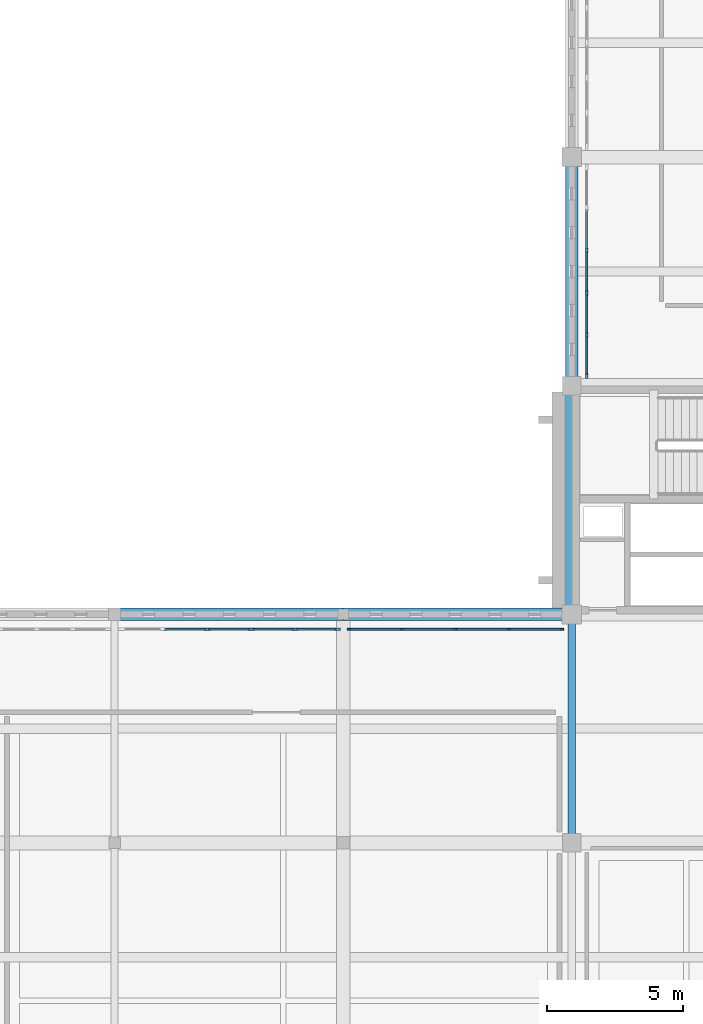
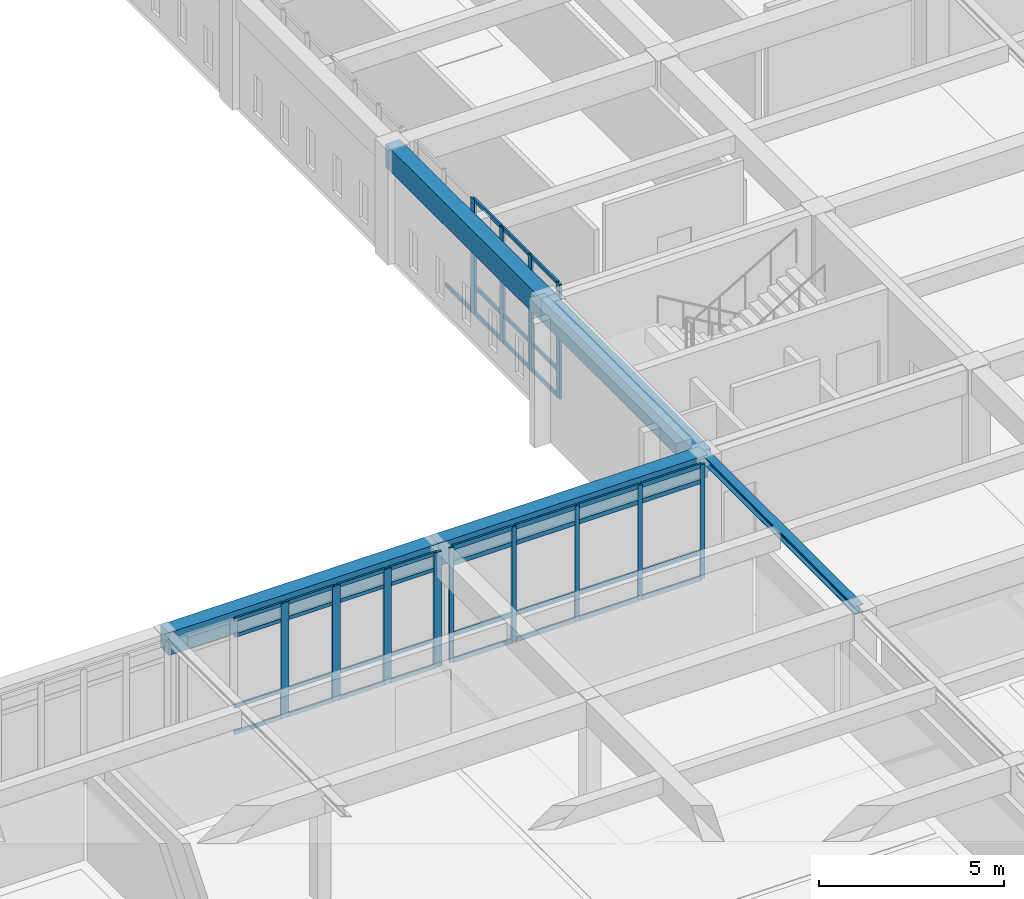
# One storey, part 19 of 110: 58 members, 5 beams, 3 elements without a shape of their own.
"""IFC4 building model written with IfcOpenShell, lengths in metres."""

from ifc_helpers import new_model, si_unit, direction, frame, origin, origin_2d, place, context, subcontext, project, spatial, rectangle, i_section, extrude, material, layer, layer_set, material_profile, profile_set, type_object, element, aggregate, save


model = new_model("IFC4")

# Units and contexts
model_context = context("Model", 3, precision=1e-05, world=origin(), true_north=direction((0.0, 1.0)))
body_context = subcontext(model_context, "Body", "Model", "MODEL_VIEW")
ifc_project = project(units=[si_unit("LENGTHUNIT", "METRE"), si_unit("AREAUNIT", "SQUARE_METRE"), si_unit("VOLUMEUNIT", "CUBIC_METRE"), si_unit("PLANEANGLEUNIT", "RADIAN"), si_unit("MASSUNIT", "GRAM", prefix="KILO")], contexts=[model_context])

# Site, building, storey
site_placement = place(None, origin())
site = spatial("IfcSite", under=ifc_project, at=site_placement, CompositionType="ELEMENT")
building_placement = place(site_placement, origin())
building = spatial("IfcBuilding", under=site, at=building_placement, Name="Kveldsbrygga Polytechnic", CompositionType="ELEMENT")
storey_placement = place(building_placement, frame((0.0, 0.0, 9.860107421875)))
storey = spatial("IfcBuildingStorey", under=building, at=storey_placement, Name="L02", CompositionType="ELEMENT", Elevation=9.860107421875)

# Beams
ifc_material_1 = material(Name="Concrete C35/45", Category="concrete")
ifc_material_profile_1 = material_profile(ifc_material_1, rectangle(XDim=0.449951171875, YDim=0.75, at=origin_2d()), Name="RC 450x750")
ifc_profile_set_1 = profile_set([ifc_material_profile_1], Name="Concrete C35/45")
beam_type_1 = type_object("IfcBeamType", Name="BM-RC-450x750", PredefinedType="BEAM", material=ifc_profile_set_1)
beam_1_placement = place(storey_placement, frame((109.199951171875, 25.199951171875, 3.385009765625), z_axis=(1.0, 0.0, 0.0), x_axis=(0.0, 1.0, 0.0)))
element("IfcBeam", 1, at=beam_1_placement, inside=storey, type_object=beam_type_1, Name="Primary Beam BMX-L02-13to14-03", PredefinedType="BEAM", context=body_context, shape_type="SweptSolid", body=[
    extrude(rectangle(XDim=0.449951171875, YDim=0.75, at=origin_2d()), origin(), (0.0, 0.0, 1.0), 8.400146484375),
])
beam_2_placement = place(storey_placement, frame((117.60009765625, 25.199951171875, 3.385009765625), z_axis=(1.0, 0.0, 0.0), x_axis=(0.0, 1.0, 0.0)))
element("IfcBeam", 2, at=beam_2_placement, inside=storey, type_object=beam_type_1, Name="Primary Beam BMX-L02-14to15-03", PredefinedType="BEAM", context=body_context, shape_type="SweptSolid", body=[
    extrude(rectangle(XDim=0.449951171875, YDim=0.75, at=origin_2d()), origin(), (0.0, 0.0, 1.0), 8.39990234375),
])
beam_3_placement = place(storey_placement, frame((126.0, 25.199951171875, 3.375), z_axis=(0.0, 1.0, 0.0), x_axis=(-1.0, 0.0, 0.0)))
element("IfcBeam", 3, at=beam_3_placement, inside=storey, type_object=beam_type_1, Name="Primary Beam BMY-L02-15-03to04", PredefinedType="BEAM", context=body_context, shape_type="SweptSolid", body=[
    extrude(rectangle(XDim=0.449951171875, YDim=0.75, at=origin_2d()), origin(), (0.0, 0.0, 1.0), 8.400146484375),
])
beam_4_placement = place(storey_placement, frame((126.0, 33.60009765625, 3.375), z_axis=(0.0, 1.0, 0.0), x_axis=(-1.0, 0.0, 0.0)))
element("IfcBeam", 4, at=beam_4_placement, inside=storey, type_object=beam_type_1, Name="Primary Beam BMY-L02-15-04to05", PredefinedType="BEAM", context=body_context, shape_type="SweptSolid", body=[
    extrude(rectangle(XDim=0.449951171875, YDim=0.75, at=origin_2d()), origin(), (0.0, 0.0, 1.0), 8.39990234375),
])
ifc_material_2 = material(Name="Steel S355", Category="steel")
ifc_material_profile_2 = material_profile(ifc_material_2, i_section(OverallWidth=0.260009765625, OverallDepth=0.260009765625, WebThickness=0.010009765625, FlangeThickness=0.017578125, FilletRadius=0.02392578125, at=origin_2d()), Name="HEB 260")
ifc_profile_set_2 = profile_set([ifc_material_profile_2], Name="Steel S355")
beam_type_2 = type_object("IfcBeamType", Name="BM-STL-HEB260", PredefinedType="BEAM", material=ifc_profile_set_2)
beam_5_placement = place(storey_placement, frame((126.0, 16.800048828125, 3.619873046875), z_axis=(0.0, 1.0, 0.0), x_axis=(-1.0, 0.0, 0.0)))
element("IfcBeam", 5, at=beam_5_placement, inside=storey, type_object=beam_type_2, Name="Primary Beam BMY-L02-15-02to03", PredefinedType="BEAM", context=body_context, shape_type="SweptSolid", body=[
    extrude(i_section(OverallWidth=0.260009765625, OverallDepth=0.260009765625, WebThickness=0.010009765625, FlangeThickness=0.017578125, FilletRadius=0.02392578125, at=origin_2d()), origin(), (0.0, 0.0, 1.0), 8.39990234375),
])

# Curtain wall, members
ifc_material_3 = material(Name="Anodised aluminium AW-6060", Category="aluminium")
ifc_layer_1 = layer(ifc_material_3, 0.199951171875)
ifc_layer_set_1 = layer_set([ifc_layer_1], Name="Anodised aluminium AW-6060")
curtain_wall_type_1 = type_object("IfcCurtainWallType", Name="CW-LANC-E", PredefinedType="USERDEFINED", material=ifc_layer_set_1)
curtain_wall_1_placement = place(storey_placement, origin())
curtain_wall_1 = element("IfcCurtainWall", 6, at=curtain_wall_1_placement, inside=storey, type_object=curtain_wall_type_1, Name="Curtain Wall CW-L02-X-14-03", ObjectType="UNITISED CURTAIN WALL", PredefinedType="USERDEFINED")
ifc_material_profile_3 = material_profile(ifc_material_3, rectangle(XDim=0.06005859375, YDim=0.139892578125, at=origin_2d()), Name="ALU 60x140")
ifc_profile_set_3 = profile_set([ifc_material_profile_3], Name="Anodised aluminium AW-6060")
member_type_1 = type_object("IfcMemberType", Name="CW-MUL-140", PredefinedType="MULLION", material=ifc_profile_set_3)
member_1_placement = place(storey_placement, frame((117.81494140625, 24.64990234375, 0.0), z_axis=(0.0, 0.0, 1.0), x_axis=(0.0, 1.0, 0.0)))
member_1 = element("IfcMember", 7, at=member_1_placement, type_object=member_type_1, Name="CW-05 mullion 1", PredefinedType="MULLION", context=body_context, shape_type="SweptSolid", body=[
    extrude(rectangle(XDim=0.06005859375, YDim=0.139892578125, at=origin_2d()), origin(), (0.0, 0.0, 1.0), 3.77978515625),
])
member_2_placement = place(storey_placement, frame((119.7548828125, 24.64990234375, 0.0), z_axis=(0.0, 0.0, 1.0), x_axis=(0.0, 1.0, 0.0)))
member_2 = element("IfcMember", 8, at=member_2_placement, type_object=member_type_1, Name="CW-05 mullion 2", PredefinedType="MULLION", context=body_context, shape_type="SweptSolid", body=[
    extrude(rectangle(XDim=0.06005859375, YDim=0.139892578125, at=origin_2d()), origin(), (0.0, 0.0, 1.0), 3.77978515625),
])
member_3_placement = place(storey_placement, frame((121.72509765625, 24.64990234375, 0.0), z_axis=(0.0, 0.0, 1.0), x_axis=(0.0, 1.0, 0.0)))
member_3 = element("IfcMember", 9, at=member_3_placement, type_object=member_type_1, Name="CW-05 mullion 3", PredefinedType="MULLION", context=body_context, shape_type="SweptSolid", body=[
    extrude(rectangle(XDim=0.06005859375, YDim=0.139892578125, at=origin_2d()), origin(), (0.0, 0.0, 1.0), 3.77978515625),
])
member_4_placement = place(storey_placement, frame((123.695068359375, 24.64990234375, 0.0), z_axis=(0.0, 0.0, 1.0), x_axis=(0.0, 1.0, 0.0)))
member_4 = element("IfcMember", 10, at=member_4_placement, type_object=member_type_1, Name="CW-05 mullion 4", PredefinedType="MULLION", context=body_context, shape_type="SweptSolid", body=[
    extrude(rectangle(XDim=0.06005859375, YDim=0.139892578125, at=origin_2d()), origin(), (0.0, 0.0, 1.0), 3.77978515625),
])
member_5_placement = place(storey_placement, frame((125.635009765625, 24.64990234375, 0.0), z_axis=(0.0, 0.0, 1.0), x_axis=(0.0, 1.0, 0.0)))
member_5 = element("IfcMember", 11, at=member_5_placement, type_object=member_type_1, Name="CW-05 mullion 5", PredefinedType="MULLION", context=body_context, shape_type="SweptSolid", body=[
    extrude(rectangle(XDim=0.06005859375, YDim=0.139892578125, at=origin_2d()), origin(), (0.0, 0.0, 1.0), 3.77978515625),
])

ifc_layer_2 = layer(ifc_material_3, 0.18994140625)
ifc_layer_set_2 = layer_set([ifc_layer_2], Name="Anodised aluminium AW-6060")
curtain_wall_type_2 = type_object("IfcCurtainWallType", Name="CW-REFC-G", PredefinedType="USERDEFINED", material=ifc_layer_set_2)
curtain_wall_2_placement = place(storey_placement, origin())
curtain_wall_2 = element("IfcCurtainWall", 12, at=curtain_wall_2_placement, inside=storey, type_object=curtain_wall_type_2, Name="Curtain Wall CW-L02-Y-15-04", ObjectType="UNITISED CURTAIN WALL", PredefinedType="USERDEFINED")
ifc_material_profile_4 = material_profile(ifc_material_3, rectangle(XDim=0.074951171875, YDim=0.199951171875, at=origin_2d()), Name="ALU 75x200")
ifc_profile_set_4 = profile_set([ifc_material_profile_4], Name="Anodised aluminium AW-6060")
member_type_2 = type_object("IfcMemberType", Name="CW-MUL-200", PredefinedType="MULLION", material=ifc_profile_set_4)
member_6_placement = place(storey_placement, frame((126.550048828125, 33.96240234375, 0.0), z_axis=(0.0, 0.0, 1.0), x_axis=(-1.0, 0.0, 0.0)))
member_6 = element("IfcMember", 13, at=member_6_placement, type_object=member_type_2, Name="CW-07 mullion 1", PredefinedType="MULLION", context=body_context, shape_type="SweptSolid", body=[
    extrude(rectangle(XDim=0.074951171875, YDim=0.199951171875, at=origin_2d()), origin(), (0.0, 0.0, 1.0), 3.77978515625),
])
member_7_placement = place(storey_placement, frame((126.550048828125, 35.472900390625, 0.0), z_axis=(0.0, 0.0, 1.0), x_axis=(-1.0, 0.0, 0.0)))
member_7 = element("IfcMember", 14, at=member_7_placement, type_object=member_type_2, Name="CW-07 mullion 2", PredefinedType="MULLION", context=body_context, shape_type="SweptSolid", body=[
    extrude(rectangle(XDim=0.074951171875, YDim=0.199951171875, at=origin_2d()), origin(), (0.0, 0.0, 1.0), 3.77978515625),
])
member_8_placement = place(storey_placement, frame((126.550048828125, 37.02099609375, 0.0), z_axis=(0.0, 0.0, 1.0), x_axis=(-1.0, 0.0, 0.0)))
member_8 = element("IfcMember", 15, at=member_8_placement, type_object=member_type_2, Name="CW-07 mullion 3", PredefinedType="MULLION", context=body_context, shape_type="SweptSolid", body=[
    extrude(rectangle(XDim=0.074951171875, YDim=0.199951171875, at=origin_2d()), origin(), (0.0, 0.0, 1.0), 3.77978515625),
])
member_9_placement = place(storey_placement, frame((126.550048828125, 38.569091796875, 0.0), z_axis=(0.0, 0.0, 1.0), x_axis=(-1.0, 0.0, 0.0)))
member_9 = element("IfcMember", 16, at=member_9_placement, type_object=member_type_2, Name="CW-07 mullion 4", PredefinedType="MULLION", context=body_context, shape_type="SweptSolid", body=[
    extrude(rectangle(XDim=0.074951171875, YDim=0.199951171875, at=origin_2d()), origin(), (0.0, 0.0, 1.0), 3.77978515625),
])

ifc_layer_3 = layer(ifc_material_3, 0.179931640625)
ifc_layer_set_3 = layer_set([ifc_layer_3], Name="Anodised aluminium AW-6060")
curtain_wall_type_3 = type_object("IfcCurtainWallType", Name="CW-LANC-D", PredefinedType="USERDEFINED", material=ifc_layer_set_3)
curtain_wall_3_placement = place(storey_placement, origin())
curtain_wall_3 = element("IfcCurtainWall", 17, at=curtain_wall_3_placement, inside=storey, type_object=curtain_wall_type_3, Name="Curtain Wall CW-L02-X-13-03", ObjectType="UNITISED CURTAIN WALL", PredefinedType="USERDEFINED")
ifc_material_profile_5 = material_profile(ifc_material_3, rectangle(XDim=0.074951171875, YDim=0.239990234375, at=origin_2d()), Name="ALU 75x240")
ifc_profile_set_5 = profile_set([ifc_material_profile_5], Name="Anodised aluminium AW-6060")
member_type_3 = type_object("IfcMemberType", Name="CW-MUL-240", PredefinedType="MULLION", material=ifc_profile_set_5)
member_10_placement = place(storey_placement, frame((112.612060546875, 24.64990234375, 0.0), z_axis=(0.0, 0.0, 1.0), x_axis=(0.0, 1.0, 0.0)))
member_10 = element("IfcMember", 18, at=member_10_placement, type_object=member_type_3, Name="CW-04 mullion 3", PredefinedType="MULLION", context=body_context, shape_type="SweptSolid", body=[
    extrude(rectangle(XDim=0.074951171875, YDim=0.239990234375, at=origin_2d()), origin(), (0.0, 0.0, 1.0), 3.77978515625),
])
member_11_placement = place(storey_placement, frame((114.212890625, 24.64990234375, 0.0), z_axis=(0.0, 0.0, 1.0), x_axis=(0.0, 1.0, 0.0)))
member_11 = element("IfcMember", 19, at=member_11_placement, type_object=member_type_3, Name="CW-04 mullion 4", PredefinedType="MULLION", context=body_context, shape_type="SweptSolid", body=[
    extrude(rectangle(XDim=0.074951171875, YDim=0.239990234375, at=origin_2d()), origin(), (0.0, 0.0, 1.0), 3.77978515625),
])
member_12_placement = place(storey_placement, frame((115.81396484375, 24.64990234375, 0.0), z_axis=(0.0, 0.0, 1.0), x_axis=(0.0, 1.0, 0.0)))
member_12 = element("IfcMember", 20, at=member_12_placement, type_object=member_type_3, Name="CW-04 mullion 5", PredefinedType="MULLION", context=body_context, shape_type="SweptSolid", body=[
    extrude(rectangle(XDim=0.074951171875, YDim=0.239990234375, at=origin_2d()), origin(), (0.0, 0.0, 1.0), 3.77978515625),
])
member_13_placement = place(storey_placement, frame((117.37744140625, 24.64990234375, 0.0), z_axis=(0.0, 0.0, 1.0), x_axis=(0.0, 1.0, 0.0)))
member_13 = element("IfcMember", 21, at=member_13_placement, type_object=member_type_3, Name="CW-04 mullion 6", PredefinedType="MULLION", context=body_context, shape_type="SweptSolid", body=[
    extrude(rectangle(XDim=0.074951171875, YDim=0.239990234375, at=origin_2d()), origin(), (0.0, 0.0, 1.0), 3.77978515625),
])
ifc_material_profile_6 = material_profile(ifc_material_3, rectangle(XDim=0.06005859375, YDim=0.1201171875, at=origin_2d()), Name="ALU 60x120")
ifc_profile_set_6 = profile_set([ifc_material_profile_6], Name="Anodised aluminium AW-6060")
member_type_4 = type_object("IfcMemberType", Name="CW-TRN-120", PredefinedType="USERDEFINED", material=ifc_profile_set_6)
member_14_placement = place(storey_placement, frame((111.048583984375, 24.64990234375, 0.02978515625), z_axis=(1.0, 0.0, 0.0), x_axis=(0.0, 1.0, 0.0)))
member_14 = element("IfcMember", 22, at=member_14_placement, type_object=member_type_4, Name="CW-04 transom 2.1", ObjectType="TRANSOM", PredefinedType="USERDEFINED", context=body_context, shape_type="SweptSolid", body=[
    extrude(rectangle(XDim=0.06005859375, YDim=0.1201171875, at=origin_2d()), origin(), (0.0, 0.0, 1.0), 1.52587890625),
])
member_15_placement = place(storey_placement, frame((111.048583984375, 24.64990234375, 0.89990234375), z_axis=(1.0, 0.0, 0.0), x_axis=(0.0, 1.0, 0.0)))
member_15 = element("IfcMember", 23, at=member_15_placement, type_object=member_type_4, Name="CW-04 transom 2.2", ObjectType="TRANSOM", PredefinedType="USERDEFINED", context=body_context, shape_type="SweptSolid", body=[
    extrude(rectangle(XDim=0.06005859375, YDim=0.1201171875, at=origin_2d()), origin(), (0.0, 0.0, 1.0), 1.52587890625),
])
member_16_placement = place(storey_placement, frame((111.048583984375, 24.64990234375, 3.22998046875), z_axis=(1.0, 0.0, 0.0), x_axis=(0.0, 1.0, 0.0)))
member_16 = element("IfcMember", 24, at=member_16_placement, type_object=member_type_4, Name="CW-04 transom 2.3", ObjectType="TRANSOM", PredefinedType="USERDEFINED", context=body_context, shape_type="SweptSolid", body=[
    extrude(rectangle(XDim=0.06005859375, YDim=0.1201171875, at=origin_2d()), origin(), (0.0, 0.0, 1.0), 1.52587890625),
])
member_17_placement = place(storey_placement, frame((111.048583984375, 24.64990234375, 3.75), z_axis=(1.0, 0.0, 0.0), x_axis=(0.0, 1.0, 0.0)))
member_17 = element("IfcMember", 25, at=member_17_placement, type_object=member_type_4, Name="CW-04 transom 2.4", ObjectType="TRANSOM", PredefinedType="USERDEFINED", context=body_context, shape_type="SweptSolid", body=[
    extrude(rectangle(XDim=0.06005859375, YDim=0.1201171875, at=origin_2d()), origin(), (0.0, 0.0, 1.0), 1.52587890625),
])
member_18_placement = place(storey_placement, frame((112.6494140625, 24.64990234375, 0.02978515625), z_axis=(1.0, 0.0, 0.0), x_axis=(0.0, 1.0, 0.0)))
member_18 = element("IfcMember", 26, at=member_18_placement, type_object=member_type_4, Name="CW-04 transom 3.1", ObjectType="TRANSOM", PredefinedType="USERDEFINED", context=body_context, shape_type="SweptSolid", body=[
    extrude(rectangle(XDim=0.06005859375, YDim=0.1201171875, at=origin_2d()), origin(), (0.0, 0.0, 1.0), 1.526123046875),
])
member_19_placement = place(storey_placement, frame((112.6494140625, 24.64990234375, 0.89990234375), z_axis=(1.0, 0.0, 0.0), x_axis=(0.0, 1.0, 0.0)))
member_19 = element("IfcMember", 27, at=member_19_placement, type_object=member_type_4, Name="CW-04 transom 3.2", ObjectType="TRANSOM", PredefinedType="USERDEFINED", context=body_context, shape_type="SweptSolid", body=[
    extrude(rectangle(XDim=0.06005859375, YDim=0.1201171875, at=origin_2d()), origin(), (0.0, 0.0, 1.0), 1.526123046875),
])
member_20_placement = place(storey_placement, frame((112.6494140625, 24.64990234375, 3.22998046875), z_axis=(1.0, 0.0, 0.0), x_axis=(0.0, 1.0, 0.0)))
member_20 = element("IfcMember", 28, at=member_20_placement, type_object=member_type_4, Name="CW-04 transom 3.3", ObjectType="TRANSOM", PredefinedType="USERDEFINED", context=body_context, shape_type="SweptSolid", body=[
    extrude(rectangle(XDim=0.06005859375, YDim=0.1201171875, at=origin_2d()), origin(), (0.0, 0.0, 1.0), 1.526123046875),
])
member_21_placement = place(storey_placement, frame((112.6494140625, 24.64990234375, 3.75), z_axis=(1.0, 0.0, 0.0), x_axis=(0.0, 1.0, 0.0)))
member_21 = element("IfcMember", 29, at=member_21_placement, type_object=member_type_4, Name="CW-04 transom 3.4", ObjectType="TRANSOM", PredefinedType="USERDEFINED", context=body_context, shape_type="SweptSolid", body=[
    extrude(rectangle(XDim=0.06005859375, YDim=0.1201171875, at=origin_2d()), origin(), (0.0, 0.0, 1.0), 1.526123046875),
])
member_22_placement = place(storey_placement, frame((114.25048828125, 24.64990234375, 0.02978515625), z_axis=(1.0, 0.0, 0.0), x_axis=(0.0, 1.0, 0.0)))
member_22 = element("IfcMember", 30, at=member_22_placement, type_object=member_type_4, Name="CW-04 transom 4.1", ObjectType="TRANSOM", PredefinedType="USERDEFINED", context=body_context, shape_type="SweptSolid", body=[
    extrude(rectangle(XDim=0.06005859375, YDim=0.1201171875, at=origin_2d()), origin(), (0.0, 0.0, 1.0), 1.526123046875),
])
member_23_placement = place(storey_placement, frame((114.25048828125, 24.64990234375, 0.89990234375), z_axis=(1.0, 0.0, 0.0), x_axis=(0.0, 1.0, 0.0)))
member_23 = element("IfcMember", 31, at=member_23_placement, type_object=member_type_4, Name="CW-04 transom 4.2", ObjectType="TRANSOM", PredefinedType="USERDEFINED", context=body_context, shape_type="SweptSolid", body=[
    extrude(rectangle(XDim=0.06005859375, YDim=0.1201171875, at=origin_2d()), origin(), (0.0, 0.0, 1.0), 1.526123046875),
])
member_24_placement = place(storey_placement, frame((114.25048828125, 24.64990234375, 3.22998046875), z_axis=(1.0, 0.0, 0.0), x_axis=(0.0, 1.0, 0.0)))
member_24 = element("IfcMember", 32, at=member_24_placement, type_object=member_type_4, Name="CW-04 transom 4.3", ObjectType="TRANSOM", PredefinedType="USERDEFINED", context=body_context, shape_type="SweptSolid", body=[
    extrude(rectangle(XDim=0.06005859375, YDim=0.1201171875, at=origin_2d()), origin(), (0.0, 0.0, 1.0), 1.526123046875),
])
member_25_placement = place(storey_placement, frame((114.25048828125, 24.64990234375, 3.75), z_axis=(1.0, 0.0, 0.0), x_axis=(0.0, 1.0, 0.0)))
member_25 = element("IfcMember", 33, at=member_25_placement, type_object=member_type_4, Name="CW-04 transom 4.4", ObjectType="TRANSOM", PredefinedType="USERDEFINED", context=body_context, shape_type="SweptSolid", body=[
    extrude(rectangle(XDim=0.06005859375, YDim=0.1201171875, at=origin_2d()), origin(), (0.0, 0.0, 1.0), 1.526123046875),
])
member_26_placement = place(storey_placement, frame((115.8515625, 24.64990234375, 0.02978515625), z_axis=(1.0, 0.0, 0.0), x_axis=(0.0, 1.0, 0.0)))
member_26 = element("IfcMember", 34, at=member_26_placement, type_object=member_type_4, Name="CW-04 transom 5.1", ObjectType="TRANSOM", PredefinedType="USERDEFINED", context=body_context, shape_type="SweptSolid", body=[
    extrude(rectangle(XDim=0.06005859375, YDim=0.1201171875, at=origin_2d()), origin(), (0.0, 0.0, 1.0), 1.488525390625),
])
member_27_placement = place(storey_placement, frame((115.8515625, 24.64990234375, 0.89990234375), z_axis=(1.0, 0.0, 0.0), x_axis=(0.0, 1.0, 0.0)))
member_27 = element("IfcMember", 35, at=member_27_placement, type_object=member_type_4, Name="CW-04 transom 5.2", ObjectType="TRANSOM", PredefinedType="USERDEFINED", context=body_context, shape_type="SweptSolid", body=[
    extrude(rectangle(XDim=0.06005859375, YDim=0.1201171875, at=origin_2d()), origin(), (0.0, 0.0, 1.0), 1.488525390625),
])
member_28_placement = place(storey_placement, frame((115.8515625, 24.64990234375, 3.22998046875), z_axis=(1.0, 0.0, 0.0), x_axis=(0.0, 1.0, 0.0)))
member_28 = element("IfcMember", 36, at=member_28_placement, type_object=member_type_4, Name="CW-04 transom 5.3", ObjectType="TRANSOM", PredefinedType="USERDEFINED", context=body_context, shape_type="SweptSolid", body=[
    extrude(rectangle(XDim=0.06005859375, YDim=0.1201171875, at=origin_2d()), origin(), (0.0, 0.0, 1.0), 1.488525390625),
])
member_29_placement = place(storey_placement, frame((115.8515625, 24.64990234375, 3.75), z_axis=(1.0, 0.0, 0.0), x_axis=(0.0, 1.0, 0.0)))
member_29 = element("IfcMember", 37, at=member_29_placement, type_object=member_type_4, Name="CW-04 transom 5.4", ObjectType="TRANSOM", PredefinedType="USERDEFINED", context=body_context, shape_type="SweptSolid", body=[
    extrude(rectangle(XDim=0.06005859375, YDim=0.1201171875, at=origin_2d()), origin(), (0.0, 0.0, 1.0), 1.488525390625),
])
aggregate(curtain_wall_3, [member_10, member_11, member_12, member_13, member_14, member_15, member_16, member_17, member_18, member_19, member_20, member_21, member_22, member_23, member_24, member_25, member_26, member_27, member_28, member_29])

# Member
member_30_placement = place(storey_placement, frame((126.550048828125, 34.0, 0.02978515625), z_axis=(0.0, 1.0, 0.0), x_axis=(-1.0, 0.0, 0.0)))
member_30 = element("IfcMember", 38, at=member_30_placement, type_object=member_type_4, Name="CW-07 transom 1.1", ObjectType="TRANSOM", PredefinedType="USERDEFINED", context=body_context, shape_type="SweptSolid", body=[
    extrude(rectangle(XDim=0.06005859375, YDim=0.1201171875, at=origin_2d()), origin(), (0.0, 0.0, 1.0), 1.435546875),
])

member_31_placement = place(storey_placement, frame((126.550048828125, 34.0, 0.89990234375), z_axis=(0.0, 1.0, 0.0), x_axis=(-1.0, 0.0, 0.0)))
member_31 = element("IfcMember", 39, at=member_31_placement, type_object=member_type_4, Name="CW-07 transom 1.2", ObjectType="TRANSOM", PredefinedType="USERDEFINED", context=body_context, shape_type="SweptSolid", body=[
    extrude(rectangle(XDim=0.06005859375, YDim=0.1201171875, at=origin_2d()), origin(), (0.0, 0.0, 1.0), 1.435546875),
])

member_32_placement = place(storey_placement, frame((126.550048828125, 34.0, 3.22998046875), z_axis=(0.0, 1.0, 0.0), x_axis=(-1.0, 0.0, 0.0)))
member_32 = element("IfcMember", 40, at=member_32_placement, type_object=member_type_4, Name="CW-07 transom 1.3", ObjectType="TRANSOM", PredefinedType="USERDEFINED", context=body_context, shape_type="SweptSolid", body=[
    extrude(rectangle(XDim=0.06005859375, YDim=0.1201171875, at=origin_2d()), origin(), (0.0, 0.0, 1.0), 1.435546875),
])

member_33_placement = place(storey_placement, frame((126.550048828125, 34.0, 3.75), z_axis=(0.0, 1.0, 0.0), x_axis=(-1.0, 0.0, 0.0)))
member_33 = element("IfcMember", 41, at=member_33_placement, type_object=member_type_4, Name="CW-07 transom 1.4", ObjectType="TRANSOM", PredefinedType="USERDEFINED", context=body_context, shape_type="SweptSolid", body=[
    extrude(rectangle(XDim=0.06005859375, YDim=0.1201171875, at=origin_2d()), origin(), (0.0, 0.0, 1.0), 1.435546875),
])

member_34_placement = place(storey_placement, frame((126.550048828125, 35.510498046875, 0.02978515625), z_axis=(0.0, 1.0, 0.0), x_axis=(-1.0, 0.0, 0.0)))
member_34 = element("IfcMember", 42, at=member_34_placement, type_object=member_type_4, Name="CW-07 transom 2.1", ObjectType="TRANSOM", PredefinedType="USERDEFINED", context=body_context, shape_type="SweptSolid", body=[
    extrude(rectangle(XDim=0.06005859375, YDim=0.1201171875, at=origin_2d()), origin(), (0.0, 0.0, 1.0), 1.472900390625),
])

member_35_placement = place(storey_placement, frame((126.550048828125, 35.510498046875, 0.89990234375), z_axis=(0.0, 1.0, 0.0), x_axis=(-1.0, 0.0, 0.0)))
member_35 = element("IfcMember", 43, at=member_35_placement, type_object=member_type_4, Name="CW-07 transom 2.2", ObjectType="TRANSOM", PredefinedType="USERDEFINED", context=body_context, shape_type="SweptSolid", body=[
    extrude(rectangle(XDim=0.06005859375, YDim=0.1201171875, at=origin_2d()), origin(), (0.0, 0.0, 1.0), 1.472900390625),
])

member_36_placement = place(storey_placement, frame((126.550048828125, 35.510498046875, 3.22998046875), z_axis=(0.0, 1.0, 0.0), x_axis=(-1.0, 0.0, 0.0)))
member_36 = element("IfcMember", 44, at=member_36_placement, type_object=member_type_4, Name="CW-07 transom 2.3", ObjectType="TRANSOM", PredefinedType="USERDEFINED", context=body_context, shape_type="SweptSolid", body=[
    extrude(rectangle(XDim=0.06005859375, YDim=0.1201171875, at=origin_2d()), origin(), (0.0, 0.0, 1.0), 1.472900390625),
])

member_37_placement = place(storey_placement, frame((126.550048828125, 35.510498046875, 3.75), z_axis=(0.0, 1.0, 0.0), x_axis=(-1.0, 0.0, 0.0)))
member_37 = element("IfcMember", 45, at=member_37_placement, type_object=member_type_4, Name="CW-07 transom 2.4", ObjectType="TRANSOM", PredefinedType="USERDEFINED", context=body_context, shape_type="SweptSolid", body=[
    extrude(rectangle(XDim=0.06005859375, YDim=0.1201171875, at=origin_2d()), origin(), (0.0, 0.0, 1.0), 1.472900390625),
])

member_38_placement = place(storey_placement, frame((126.550048828125, 37.05859375, 0.02978515625), z_axis=(0.0, 1.0, 0.0), x_axis=(-1.0, 0.0, 0.0)))
member_38 = element("IfcMember", 46, at=member_38_placement, type_object=member_type_4, Name="CW-07 transom 3.1", ObjectType="TRANSOM", PredefinedType="USERDEFINED", context=body_context, shape_type="SweptSolid", body=[
    extrude(rectangle(XDim=0.06005859375, YDim=0.1201171875, at=origin_2d()), origin(), (0.0, 0.0, 1.0), 1.472900390625),
])

member_39_placement = place(storey_placement, frame((126.550048828125, 37.05859375, 0.89990234375), z_axis=(0.0, 1.0, 0.0), x_axis=(-1.0, 0.0, 0.0)))
member_39 = element("IfcMember", 47, at=member_39_placement, type_object=member_type_4, Name="CW-07 transom 3.2", ObjectType="TRANSOM", PredefinedType="USERDEFINED", context=body_context, shape_type="SweptSolid", body=[
    extrude(rectangle(XDim=0.06005859375, YDim=0.1201171875, at=origin_2d()), origin(), (0.0, 0.0, 1.0), 1.472900390625),
])

member_40_placement = place(storey_placement, frame((126.550048828125, 37.05859375, 3.22998046875), z_axis=(0.0, 1.0, 0.0), x_axis=(-1.0, 0.0, 0.0)))
member_40 = element("IfcMember", 48, at=member_40_placement, type_object=member_type_4, Name="CW-07 transom 3.3", ObjectType="TRANSOM", PredefinedType="USERDEFINED", context=body_context, shape_type="SweptSolid", body=[
    extrude(rectangle(XDim=0.06005859375, YDim=0.1201171875, at=origin_2d()), origin(), (0.0, 0.0, 1.0), 1.472900390625),
])

member_41_placement = place(storey_placement, frame((126.550048828125, 37.05859375, 3.75), z_axis=(0.0, 1.0, 0.0), x_axis=(-1.0, 0.0, 0.0)))
member_41 = element("IfcMember", 49, at=member_41_placement, type_object=member_type_4, Name="CW-07 transom 3.4", ObjectType="TRANSOM", PredefinedType="USERDEFINED", context=body_context, shape_type="SweptSolid", body=[
    extrude(rectangle(XDim=0.06005859375, YDim=0.1201171875, at=origin_2d()), origin(), (0.0, 0.0, 1.0), 1.472900390625),
])

member_42_placement = place(storey_placement, frame((126.550048828125, 38.6064453125, 0.02978515625), z_axis=(0.0, 1.0, 0.0), x_axis=(-1.0, 0.0, 0.0)))
member_42 = element("IfcMember", 50, at=member_42_placement, type_object=member_type_4, Name="CW-07 transom 4.1", ObjectType="TRANSOM", PredefinedType="USERDEFINED", context=body_context, shape_type="SweptSolid", body=[
    extrude(rectangle(XDim=0.06005859375, YDim=0.1201171875, at=origin_2d()), origin(), (0.0, 0.0, 1.0), 1.47314453125),
])

aggregate(curtain_wall_2, [member_6, member_7, member_8, member_9, member_30, member_31, member_32, member_33, member_34, member_35, member_36, member_37, member_38, member_39, member_40, member_41, member_42])

ifc_material_profile_7 = material_profile(ifc_material_3, rectangle(XDim=0.06005859375, YDim=0.14990234375, at=origin_2d()), Name="ALU 60x150")
ifc_profile_set_7 = profile_set([ifc_material_profile_7], Name="Anodised aluminium AW-6060")
member_type_5 = type_object("IfcMemberType", Name="CW-TRN-150", PredefinedType="USERDEFINED", material=ifc_profile_set_7)
member_43_placement = place(storey_placement, frame((117.844970703125, 24.64990234375, 0.02978515625), z_axis=(1.0, 0.0, 0.0), x_axis=(0.0, 1.0, 0.0)))
member_43 = element("IfcMember", 51, at=member_43_placement, type_object=member_type_5, Name="CW-05 transom 1.1", ObjectType="TRANSOM", PredefinedType="USERDEFINED", context=body_context, shape_type="SweptSolid", body=[
    extrude(rectangle(XDim=0.06005859375, YDim=0.14990234375, at=origin_2d()), origin(), (0.0, 0.0, 1.0), 1.880126953125),
])

member_44_placement = place(storey_placement, frame((117.844970703125, 24.64990234375, 0.89990234375), z_axis=(1.0, 0.0, 0.0), x_axis=(0.0, 1.0, 0.0)))
member_44 = element("IfcMember", 52, at=member_44_placement, type_object=member_type_5, Name="CW-05 transom 1.2", ObjectType="TRANSOM", PredefinedType="USERDEFINED", context=body_context, shape_type="SweptSolid", body=[
    extrude(rectangle(XDim=0.06005859375, YDim=0.14990234375, at=origin_2d()), origin(), (0.0, 0.0, 1.0), 1.880126953125),
])

member_45_placement = place(storey_placement, frame((117.844970703125, 24.64990234375, 3.22998046875), z_axis=(1.0, 0.0, 0.0), x_axis=(0.0, 1.0, 0.0)))
member_45 = element("IfcMember", 53, at=member_45_placement, type_object=member_type_5, Name="CW-05 transom 1.3", ObjectType="TRANSOM", PredefinedType="USERDEFINED", context=body_context, shape_type="SweptSolid", body=[
    extrude(rectangle(XDim=0.06005859375, YDim=0.14990234375, at=origin_2d()), origin(), (0.0, 0.0, 1.0), 1.880126953125),
])

member_46_placement = place(storey_placement, frame((117.844970703125, 24.64990234375, 3.75), z_axis=(1.0, 0.0, 0.0), x_axis=(0.0, 1.0, 0.0)))
member_46 = element("IfcMember", 54, at=member_46_placement, type_object=member_type_5, Name="CW-05 transom 1.4", ObjectType="TRANSOM", PredefinedType="USERDEFINED", context=body_context, shape_type="SweptSolid", body=[
    extrude(rectangle(XDim=0.06005859375, YDim=0.14990234375, at=origin_2d()), origin(), (0.0, 0.0, 1.0), 1.880126953125),
])

member_47_placement = place(storey_placement, frame((119.784912109375, 24.64990234375, 0.02978515625), z_axis=(1.0, 0.0, 0.0), x_axis=(0.0, 1.0, 0.0)))
member_47 = element("IfcMember", 55, at=member_47_placement, type_object=member_type_5, Name="CW-05 transom 2.1", ObjectType="TRANSOM", PredefinedType="USERDEFINED", context=body_context, shape_type="SweptSolid", body=[
    extrude(rectangle(XDim=0.06005859375, YDim=0.14990234375, at=origin_2d()), origin(), (0.0, 0.0, 1.0), 1.91015625),
])

member_48_placement = place(storey_placement, frame((119.784912109375, 24.64990234375, 0.89990234375), z_axis=(1.0, 0.0, 0.0), x_axis=(0.0, 1.0, 0.0)))
member_48 = element("IfcMember", 56, at=member_48_placement, type_object=member_type_5, Name="CW-05 transom 2.2", ObjectType="TRANSOM", PredefinedType="USERDEFINED", context=body_context, shape_type="SweptSolid", body=[
    extrude(rectangle(XDim=0.06005859375, YDim=0.14990234375, at=origin_2d()), origin(), (0.0, 0.0, 1.0), 1.91015625),
])

member_49_placement = place(storey_placement, frame((119.784912109375, 24.64990234375, 3.22998046875), z_axis=(1.0, 0.0, 0.0), x_axis=(0.0, 1.0, 0.0)))
member_49 = element("IfcMember", 57, at=member_49_placement, type_object=member_type_5, Name="CW-05 transom 2.3", ObjectType="TRANSOM", PredefinedType="USERDEFINED", context=body_context, shape_type="SweptSolid", body=[
    extrude(rectangle(XDim=0.06005859375, YDim=0.14990234375, at=origin_2d()), origin(), (0.0, 0.0, 1.0), 1.91015625),
])

member_50_placement = place(storey_placement, frame((119.784912109375, 24.64990234375, 3.75), z_axis=(1.0, 0.0, 0.0), x_axis=(0.0, 1.0, 0.0)))
member_50 = element("IfcMember", 58, at=member_50_placement, type_object=member_type_5, Name="CW-05 transom 2.4", ObjectType="TRANSOM", PredefinedType="USERDEFINED", context=body_context, shape_type="SweptSolid", body=[
    extrude(rectangle(XDim=0.06005859375, YDim=0.14990234375, at=origin_2d()), origin(), (0.0, 0.0, 1.0), 1.91015625),
])

member_51_placement = place(storey_placement, frame((121.7548828125, 24.64990234375, 0.02978515625), z_axis=(1.0, 0.0, 0.0), x_axis=(0.0, 1.0, 0.0)))
member_51 = element("IfcMember", 59, at=member_51_placement, type_object=member_type_5, Name="CW-05 transom 3.1", ObjectType="TRANSOM", PredefinedType="USERDEFINED", context=body_context, shape_type="SweptSolid", body=[
    extrude(rectangle(XDim=0.06005859375, YDim=0.14990234375, at=origin_2d()), origin(), (0.0, 0.0, 1.0), 1.91015625),
])

member_52_placement = place(storey_placement, frame((121.7548828125, 24.64990234375, 0.89990234375), z_axis=(1.0, 0.0, 0.0), x_axis=(0.0, 1.0, 0.0)))
member_52 = element("IfcMember", 60, at=member_52_placement, type_object=member_type_5, Name="CW-05 transom 3.2", ObjectType="TRANSOM", PredefinedType="USERDEFINED", context=body_context, shape_type="SweptSolid", body=[
    extrude(rectangle(XDim=0.06005859375, YDim=0.14990234375, at=origin_2d()), origin(), (0.0, 0.0, 1.0), 1.91015625),
])

member_53_placement = place(storey_placement, frame((121.7548828125, 24.64990234375, 3.22998046875), z_axis=(1.0, 0.0, 0.0), x_axis=(0.0, 1.0, 0.0)))
member_53 = element("IfcMember", 61, at=member_53_placement, type_object=member_type_5, Name="CW-05 transom 3.3", ObjectType="TRANSOM", PredefinedType="USERDEFINED", context=body_context, shape_type="SweptSolid", body=[
    extrude(rectangle(XDim=0.06005859375, YDim=0.14990234375, at=origin_2d()), origin(), (0.0, 0.0, 1.0), 1.91015625),
])

member_54_placement = place(storey_placement, frame((121.7548828125, 24.64990234375, 3.75), z_axis=(1.0, 0.0, 0.0), x_axis=(0.0, 1.0, 0.0)))
member_54 = element("IfcMember", 62, at=member_54_placement, type_object=member_type_5, Name="CW-05 transom 3.4", ObjectType="TRANSOM", PredefinedType="USERDEFINED", context=body_context, shape_type="SweptSolid", body=[
    extrude(rectangle(XDim=0.06005859375, YDim=0.14990234375, at=origin_2d()), origin(), (0.0, 0.0, 1.0), 1.91015625),
])

member_55_placement = place(storey_placement, frame((123.72509765625, 24.64990234375, 0.02978515625), z_axis=(1.0, 0.0, 0.0), x_axis=(0.0, 1.0, 0.0)))
member_55 = element("IfcMember", 63, at=member_55_placement, type_object=member_type_5, Name="CW-05 transom 4.1", ObjectType="TRANSOM", PredefinedType="USERDEFINED", context=body_context, shape_type="SweptSolid", body=[
    extrude(rectangle(XDim=0.06005859375, YDim=0.14990234375, at=origin_2d()), origin(), (0.0, 0.0, 1.0), 1.8798828125),
])

member_56_placement = place(storey_placement, frame((123.72509765625, 24.64990234375, 0.89990234375), z_axis=(1.0, 0.0, 0.0), x_axis=(0.0, 1.0, 0.0)))
member_56 = element("IfcMember", 64, at=member_56_placement, type_object=member_type_5, Name="CW-05 transom 4.2", ObjectType="TRANSOM", PredefinedType="USERDEFINED", context=body_context, shape_type="SweptSolid", body=[
    extrude(rectangle(XDim=0.06005859375, YDim=0.14990234375, at=origin_2d()), origin(), (0.0, 0.0, 1.0), 1.8798828125),
])

member_57_placement = place(storey_placement, frame((123.72509765625, 24.64990234375, 3.22998046875), z_axis=(1.0, 0.0, 0.0), x_axis=(0.0, 1.0, 0.0)))
member_57 = element("IfcMember", 65, at=member_57_placement, type_object=member_type_5, Name="CW-05 transom 4.3", ObjectType="TRANSOM", PredefinedType="USERDEFINED", context=body_context, shape_type="SweptSolid", body=[
    extrude(rectangle(XDim=0.06005859375, YDim=0.14990234375, at=origin_2d()), origin(), (0.0, 0.0, 1.0), 1.8798828125),
])

member_58_placement = place(storey_placement, frame((123.72509765625, 24.64990234375, 3.75), z_axis=(1.0, 0.0, 0.0), x_axis=(0.0, 1.0, 0.0)))
member_58 = element("IfcMember", 66, at=member_58_placement, type_object=member_type_5, Name="CW-05 transom 4.4", ObjectType="TRANSOM", PredefinedType="USERDEFINED", context=body_context, shape_type="SweptSolid", body=[
    extrude(rectangle(XDim=0.06005859375, YDim=0.14990234375, at=origin_2d()), origin(), (0.0, 0.0, 1.0), 1.8798828125),
])

aggregate(curtain_wall_1, [member_1, member_2, member_3, member_4, member_5, member_43, member_44, member_45, member_46, member_47, member_48, member_49, member_50, member_51, member_52, member_53, member_54, member_55, member_56, member_57, member_58])

save(model, "model.ifc")
